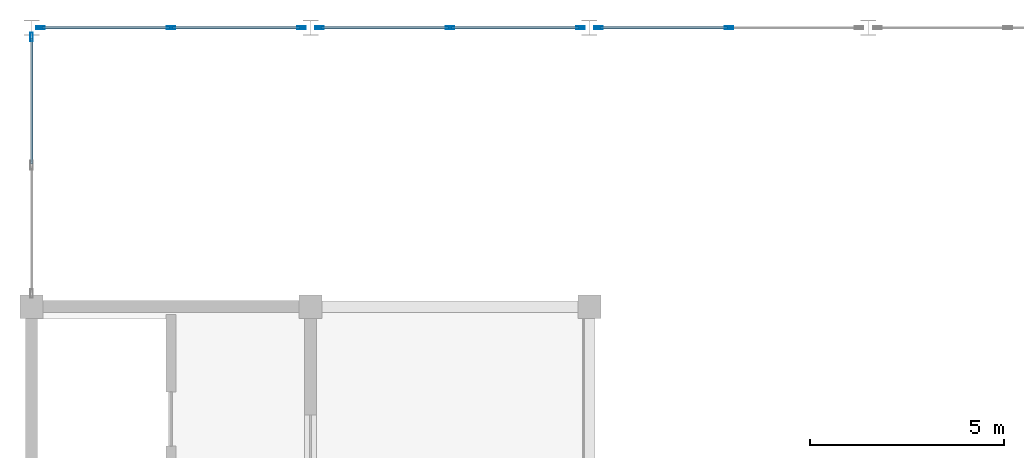
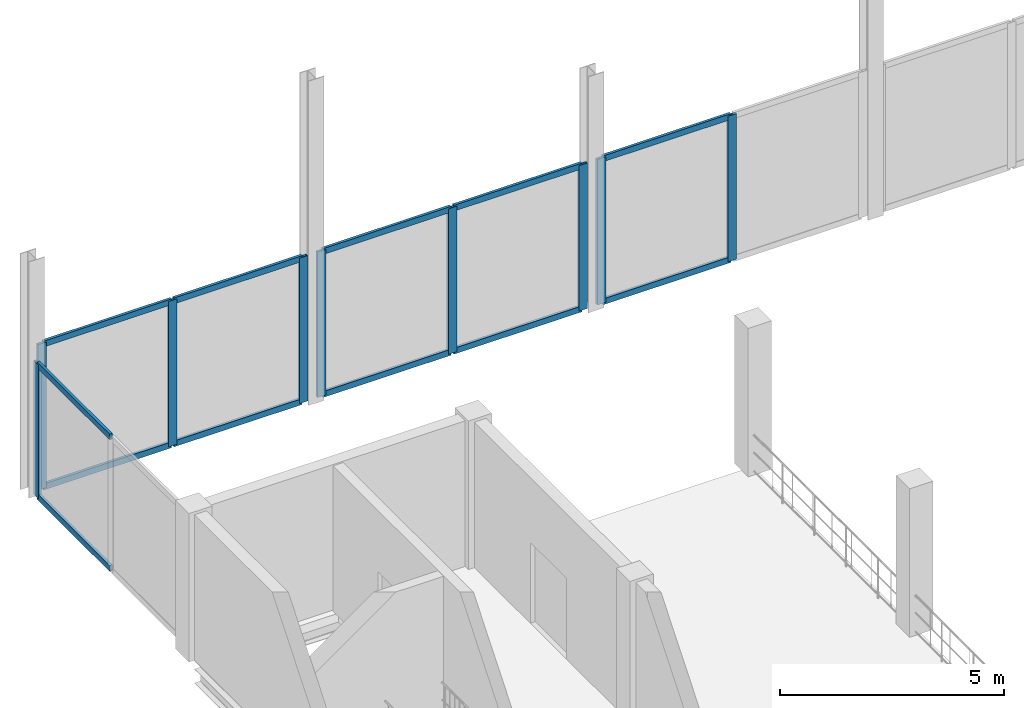
# One storey, part 21 of 51: 21 members, 4 elements without a shape of their own.
"""IFC4 building model written with IfcOpenShell, lengths in metres."""

from ifc_helpers import new_model, si_unit, direction, frame, origin, origin_2d, place, context, subcontext, project, spatial, hollow_rectangle, extrude, material, material_profile, profile_set, type_object, element, aggregate, save


model = new_model("IFC4")

# Units and contexts
model_context = context("Model", 3, precision=1e-05, world=origin(), true_north=direction((0.0, 1.0)))
body_context = subcontext(model_context, "Body", "Model", "MODEL_VIEW")
ifc_project = project(units=[si_unit("LENGTHUNIT", "METRE"), si_unit("AREAUNIT", "SQUARE_METRE"), si_unit("VOLUMEUNIT", "CUBIC_METRE"), si_unit("PLANEANGLEUNIT", "RADIAN"), si_unit("MASSUNIT", "GRAM", prefix="KILO")], contexts=[model_context])

# Site, building, storey
site_placement = place(None, origin())
site = spatial("IfcSite", under=ifc_project, at=site_placement, CompositionType="ELEMENT")
building_placement = place(site_placement, origin())
building = spatial("IfcBuilding", under=site, at=building_placement, Name="Vesperath Aquatics Centre", CompositionType="ELEMENT")
storey_placement = place(building_placement, frame((0.0, 0.0, 15.0)))
storey = spatial("IfcBuildingStorey", under=building, at=storey_placement, Name="L03", CompositionType="ELEMENT", Elevation=15.0)

# Curtain wall, members
ifc_material_1 = material(Name="Thermally broken anodised bronze aluminium curtain wall", Category="aluminium")
curtain_wall_type = type_object("IfcCurtainWallType", Name="CW-04", PredefinedType="NOTDEFINED", material=ifc_material_1)
curtain_wall_1_placement = place(storey_placement, origin())
curtain_wall_1 = element("IfcCurtainWall", 1, at=curtain_wall_1_placement, inside=storey, type_object=curtain_wall_type, Name="Facade Curtain Wall CW04 L03_N_01_16", PredefinedType="NOTDEFINED")
ifc_material_2 = material(Name="Thermally broken anodised aluminium", Category="aluminium")
ifc_material_profile_1 = material_profile(ifc_material_2, hollow_rectangle(XDim=0.070068359375, YDim=0.219970703125, WallThickness=0.0048828125, at=origin_2d()), Name="CWM 70x220x5")
ifc_profile_set_1 = profile_set([ifc_material_profile_1], Name="Thermally broken anodised aluminium")
member_type_1 = type_object("IfcMemberType", Name="MB-CWM2", PredefinedType="MULLION", material=ifc_profile_set_1)
member_1_placement = place(storey_placement, frame((7.43505859375, 115.199951171875, 0.0), z_axis=(0.0, 0.0, 1.0), x_axis=(0.0, 1.0, 0.0)))
member_1 = element("IfcMember", 2, at=member_1_placement, type_object=member_type_1, Name="CW04 mullion 1", PredefinedType="MULLION", context=body_context, shape_type="SweptSolid", body=[
    extrude(hollow_rectangle(XDim=0.070068359375, YDim=0.219970703125, WallThickness=0.0048828125, at=origin_2d()), origin(), (0.0, 0.0, 1.0), 3.9599609375),
])
member_2_placement = place(storey_placement, frame((10.800048828125, 115.199951171875, 0.0), z_axis=(0.0, 0.0, 1.0), x_axis=(0.0, 1.0, 0.0)))
member_2 = element("IfcMember", 3, at=member_2_placement, type_object=member_type_1, Name="CW04 mullion 2", PredefinedType="MULLION", context=body_context, shape_type="SweptSolid", body=[
    extrude(hollow_rectangle(XDim=0.070068359375, YDim=0.219970703125, WallThickness=0.0048828125, at=origin_2d()), origin(), (0.0, 0.0, 1.0), 3.9599609375),
])
member_3_placement = place(storey_placement, frame((14.1650390625, 115.199951171875, 0.0), z_axis=(0.0, 0.0, 1.0), x_axis=(0.0, 1.0, 0.0)))
member_3 = element("IfcMember", 4, at=member_3_placement, type_object=member_type_1, Name="CW04 mullion 3", PredefinedType="MULLION", context=body_context, shape_type="SweptSolid", body=[
    extrude(hollow_rectangle(XDim=0.070068359375, YDim=0.219970703125, WallThickness=0.0048828125, at=origin_2d()), origin(), (0.0, 0.0, 1.0), 3.9599609375),
])

curtain_wall_2_placement = place(storey_placement, origin())
curtain_wall_2 = element("IfcCurtainWall", 5, at=curtain_wall_2_placement, inside=storey, type_object=curtain_wall_type, Name="Facade Curtain Wall CW04 L03_N_02_16", PredefinedType="NOTDEFINED")
member_4_placement = place(storey_placement, frame((14.635009765625, 115.199951171875, 0.0), z_axis=(0.0, 0.0, 1.0), x_axis=(0.0, 1.0, 0.0)))
member_4 = element("IfcMember", 6, at=member_4_placement, type_object=member_type_1, Name="CW04 mullion 1", PredefinedType="MULLION", context=body_context, shape_type="SweptSolid", body=[
    extrude(hollow_rectangle(XDim=0.070068359375, YDim=0.219970703125, WallThickness=0.0048828125, at=origin_2d()), origin(), (0.0, 0.0, 1.0), 3.9599609375),
])
member_5_placement = place(storey_placement, frame((18.0, 115.199951171875, 0.0), z_axis=(0.0, 0.0, 1.0), x_axis=(0.0, 1.0, 0.0)))
member_5 = element("IfcMember", 7, at=member_5_placement, type_object=member_type_1, Name="CW04 mullion 2", PredefinedType="MULLION", context=body_context, shape_type="SweptSolid", body=[
    extrude(hollow_rectangle(XDim=0.070068359375, YDim=0.219970703125, WallThickness=0.0048828125, at=origin_2d()), origin(), (0.0, 0.0, 1.0), 3.9599609375),
])
member_6_placement = place(storey_placement, frame((21.364990234375, 115.199951171875, 0.0), z_axis=(0.0, 0.0, 1.0), x_axis=(0.0, 1.0, 0.0)))
member_6 = element("IfcMember", 8, at=member_6_placement, type_object=member_type_1, Name="CW04 mullion 3", PredefinedType="MULLION", context=body_context, shape_type="SweptSolid", body=[
    extrude(hollow_rectangle(XDim=0.070068359375, YDim=0.219970703125, WallThickness=0.0048828125, at=origin_2d()), origin(), (0.0, 0.0, 1.0), 3.9599609375),
])

curtain_wall_3_placement = place(storey_placement, origin())
curtain_wall_3 = element("IfcCurtainWall", 9, at=curtain_wall_3_placement, inside=storey, type_object=curtain_wall_type, Name="Facade Curtain Wall CW04 L03_N_03_16", PredefinedType="NOTDEFINED")
member_7_placement = place(storey_placement, frame((21.8349609375, 115.199951171875, 0.0), z_axis=(0.0, 0.0, 1.0), x_axis=(0.0, 1.0, 0.0)))
member_7 = element("IfcMember", 10, at=member_7_placement, type_object=member_type_1, Name="CW04 mullion 1", PredefinedType="MULLION", context=body_context, shape_type="SweptSolid", body=[
    extrude(hollow_rectangle(XDim=0.070068359375, YDim=0.219970703125, WallThickness=0.0048828125, at=origin_2d()), origin(), (0.0, 0.0, 1.0), 3.9599609375),
])
member_8_placement = place(storey_placement, frame((25.199951171875, 115.199951171875, 0.0), z_axis=(0.0, 0.0, 1.0), x_axis=(0.0, 1.0, 0.0)))
member_8 = element("IfcMember", 11, at=member_8_placement, type_object=member_type_1, Name="CW04 mullion 2", PredefinedType="MULLION", context=body_context, shape_type="SweptSolid", body=[
    extrude(hollow_rectangle(XDim=0.070068359375, YDim=0.219970703125, WallThickness=0.0048828125, at=origin_2d()), origin(), (0.0, 0.0, 1.0), 3.9599609375),
])

# Curtain wall, member
curtain_wall_4_placement = place(storey_placement, origin())
curtain_wall_4 = element("IfcCurtainWall", 12, at=curtain_wall_4_placement, inside=storey, type_object=curtain_wall_type, Name="Facade Curtain Wall CW04 L03_W_01_15", PredefinedType="NOTDEFINED")
member_9_placement = place(storey_placement, frame((7.199951171875, 114.965087890625, 0.0), z_axis=(0.0, 0.0, 1.0), x_axis=(-1.0, 0.0, 0.0)))
member_9 = element("IfcMember", 13, at=member_9_placement, type_object=member_type_1, Name="CW04 mullion 3", PredefinedType="MULLION", context=body_context, shape_type="SweptSolid", body=[
    extrude(hollow_rectangle(XDim=0.070068359375, YDim=0.219970703125, WallThickness=0.0048828125, at=origin_2d()), origin(), (0.0, 0.0, 1.0), 3.64990234375),
])

# Member
ifc_material_profile_2 = material_profile(ifc_material_2, hollow_rectangle(XDim=0.070068359375, YDim=0.159912109375, WallThickness=0.0048828125, at=origin_2d()), Name="CWT 70x160x5")
ifc_profile_set_2 = profile_set([ifc_material_profile_2], Name="Thermally broken anodised aluminium")
member_type_2 = type_object("IfcMemberType", Name="MB-CWT2", PredefinedType="USERDEFINED", material=ifc_profile_set_2)
member_10_placement = place(storey_placement, frame((7.469970703125, 115.199951171875, 0.034912109375), z_axis=(1.0, 0.0, 0.0), x_axis=(0.0, 1.0, 0.0)))
member_10 = element("IfcMember", 14, at=member_10_placement, type_object=member_type_2, Name="CW04 transom 1.1", ObjectType="TRANSOM", PredefinedType="USERDEFINED", context=body_context, shape_type="SweptSolid", body=[
    extrude(hollow_rectangle(XDim=0.070068359375, YDim=0.159912109375, WallThickness=0.0048828125, at=origin_2d()), origin(), (0.0, 0.0, 1.0), 3.294921875),
])

member_11_placement = place(storey_placement, frame((7.469970703125, 115.199951171875, 3.925048828125), z_axis=(1.0, 0.0, 0.0), x_axis=(0.0, 1.0, 0.0)))
member_11 = element("IfcMember", 15, at=member_11_placement, type_object=member_type_2, Name="CW04 transom 1.2", ObjectType="TRANSOM", PredefinedType="USERDEFINED", context=body_context, shape_type="SweptSolid", body=[
    extrude(hollow_rectangle(XDim=0.070068359375, YDim=0.159912109375, WallThickness=0.0048828125, at=origin_2d()), origin(), (0.0, 0.0, 1.0), 3.294921875),
])

member_12_placement = place(storey_placement, frame((10.8349609375, 115.199951171875, 0.034912109375), z_axis=(1.0, 0.0, 0.0), x_axis=(0.0, 1.0, 0.0)))
member_12 = element("IfcMember", 16, at=member_12_placement, type_object=member_type_2, Name="CW04 transom 2.1", ObjectType="TRANSOM", PredefinedType="USERDEFINED", context=body_context, shape_type="SweptSolid", body=[
    extrude(hollow_rectangle(XDim=0.070068359375, YDim=0.159912109375, WallThickness=0.0048828125, at=origin_2d()), origin(), (0.0, 0.0, 1.0), 3.294921875),
])

member_13_placement = place(storey_placement, frame((10.8349609375, 115.199951171875, 3.925048828125), z_axis=(1.0, 0.0, 0.0), x_axis=(0.0, 1.0, 0.0)))
member_13 = element("IfcMember", 17, at=member_13_placement, type_object=member_type_2, Name="CW04 transom 2.2", ObjectType="TRANSOM", PredefinedType="USERDEFINED", context=body_context, shape_type="SweptSolid", body=[
    extrude(hollow_rectangle(XDim=0.070068359375, YDim=0.159912109375, WallThickness=0.0048828125, at=origin_2d()), origin(), (0.0, 0.0, 1.0), 3.294921875),
])

aggregate(curtain_wall_1, [member_1, member_2, member_3, member_10, member_11, member_12, member_13])

member_14_placement = place(storey_placement, frame((14.669921875, 115.199951171875, 0.034912109375), z_axis=(1.0, 0.0, 0.0), x_axis=(0.0, 1.0, 0.0)))
member_14 = element("IfcMember", 18, at=member_14_placement, type_object=member_type_2, Name="CW04 transom 1.1", ObjectType="TRANSOM", PredefinedType="USERDEFINED", context=body_context, shape_type="SweptSolid", body=[
    extrude(hollow_rectangle(XDim=0.070068359375, YDim=0.159912109375, WallThickness=0.0048828125, at=origin_2d()), origin(), (0.0, 0.0, 1.0), 3.295166015625),
])

member_15_placement = place(storey_placement, frame((14.669921875, 115.199951171875, 3.925048828125), z_axis=(1.0, 0.0, 0.0), x_axis=(0.0, 1.0, 0.0)))
member_15 = element("IfcMember", 19, at=member_15_placement, type_object=member_type_2, Name="CW04 transom 1.2", ObjectType="TRANSOM", PredefinedType="USERDEFINED", context=body_context, shape_type="SweptSolid", body=[
    extrude(hollow_rectangle(XDim=0.070068359375, YDim=0.159912109375, WallThickness=0.0048828125, at=origin_2d()), origin(), (0.0, 0.0, 1.0), 3.295166015625),
])

member_16_placement = place(storey_placement, frame((18.034912109375, 115.199951171875, 0.034912109375), z_axis=(1.0, 0.0, 0.0), x_axis=(0.0, 1.0, 0.0)))
member_16 = element("IfcMember", 20, at=member_16_placement, type_object=member_type_2, Name="CW04 transom 2.1", ObjectType="TRANSOM", PredefinedType="USERDEFINED", context=body_context, shape_type="SweptSolid", body=[
    extrude(hollow_rectangle(XDim=0.070068359375, YDim=0.159912109375, WallThickness=0.0048828125, at=origin_2d()), origin(), (0.0, 0.0, 1.0), 3.295166015625),
])

member_17_placement = place(storey_placement, frame((18.034912109375, 115.199951171875, 3.925048828125), z_axis=(1.0, 0.0, 0.0), x_axis=(0.0, 1.0, 0.0)))
member_17 = element("IfcMember", 21, at=member_17_placement, type_object=member_type_2, Name="CW04 transom 2.2", ObjectType="TRANSOM", PredefinedType="USERDEFINED", context=body_context, shape_type="SweptSolid", body=[
    extrude(hollow_rectangle(XDim=0.070068359375, YDim=0.159912109375, WallThickness=0.0048828125, at=origin_2d()), origin(), (0.0, 0.0, 1.0), 3.295166015625),
])

aggregate(curtain_wall_2, [member_4, member_5, member_6, member_14, member_15, member_16, member_17])

member_18_placement = place(storey_placement, frame((21.8701171875, 115.199951171875, 0.034912109375), z_axis=(1.0, 0.0, 0.0), x_axis=(0.0, 1.0, 0.0)))
member_18 = element("IfcMember", 22, at=member_18_placement, type_object=member_type_2, Name="CW04 transom 1.1", ObjectType="TRANSOM", PredefinedType="USERDEFINED", context=body_context, shape_type="SweptSolid", body=[
    extrude(hollow_rectangle(XDim=0.070068359375, YDim=0.159912109375, WallThickness=0.0048828125, at=origin_2d()), origin(), (0.0, 0.0, 1.0), 3.294921875),
])

member_19_placement = place(storey_placement, frame((21.8701171875, 115.199951171875, 3.925048828125), z_axis=(1.0, 0.0, 0.0), x_axis=(0.0, 1.0, 0.0)))
member_19 = element("IfcMember", 23, at=member_19_placement, type_object=member_type_2, Name="CW04 transom 1.2", ObjectType="TRANSOM", PredefinedType="USERDEFINED", context=body_context, shape_type="SweptSolid", body=[
    extrude(hollow_rectangle(XDim=0.070068359375, YDim=0.159912109375, WallThickness=0.0048828125, at=origin_2d()), origin(), (0.0, 0.0, 1.0), 3.294921875),
])

aggregate(curtain_wall_3, [member_7, member_8, member_18, member_19])

member_20_placement = place(storey_placement, frame((7.199951171875, 111.68505859375, 0.034912109375), z_axis=(0.0, 1.0, 0.0), x_axis=(-1.0, 0.0, 0.0)))
member_20 = element("IfcMember", 24, at=member_20_placement, type_object=member_type_2, Name="CW04 transom 2.1", ObjectType="TRANSOM", PredefinedType="USERDEFINED", context=body_context, shape_type="SweptSolid", body=[
    extrude(hollow_rectangle(XDim=0.070068359375, YDim=0.159912109375, WallThickness=0.0048828125, at=origin_2d()), origin(), (0.0, 0.0, 1.0), 3.244873046875),
])

member_21_placement = place(storey_placement, frame((7.199951171875, 111.68505859375, 3.614990234375), z_axis=(0.0, 1.0, 0.0), x_axis=(-1.0, 0.0, 0.0)))
member_21 = element("IfcMember", 25, at=member_21_placement, type_object=member_type_2, Name="CW04 transom 2.2", ObjectType="TRANSOM", PredefinedType="USERDEFINED", context=body_context, shape_type="SweptSolid", body=[
    extrude(hollow_rectangle(XDim=0.070068359375, YDim=0.159912109375, WallThickness=0.0048828125, at=origin_2d()), origin(), (0.0, 0.0, 1.0), 3.244873046875),
])

aggregate(curtain_wall_4, [member_9, member_20, member_21])

save(model, "model.ifc")
